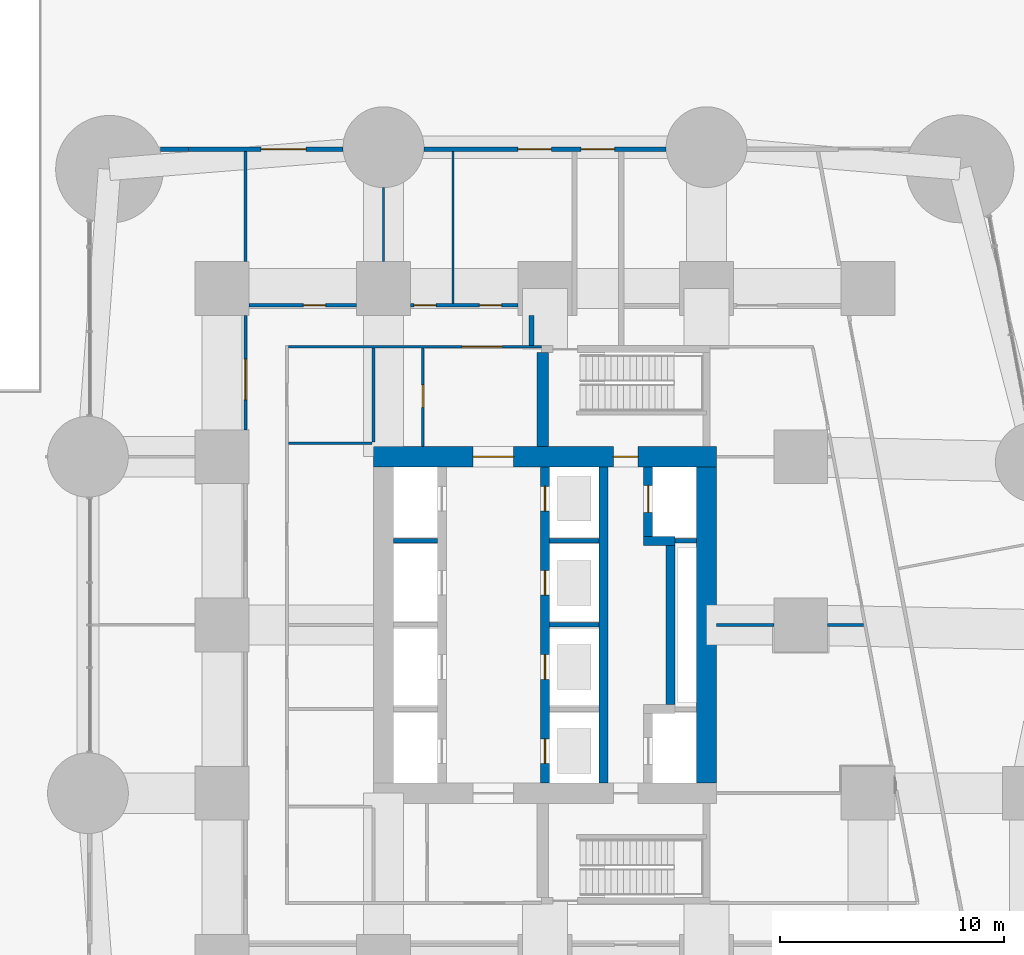
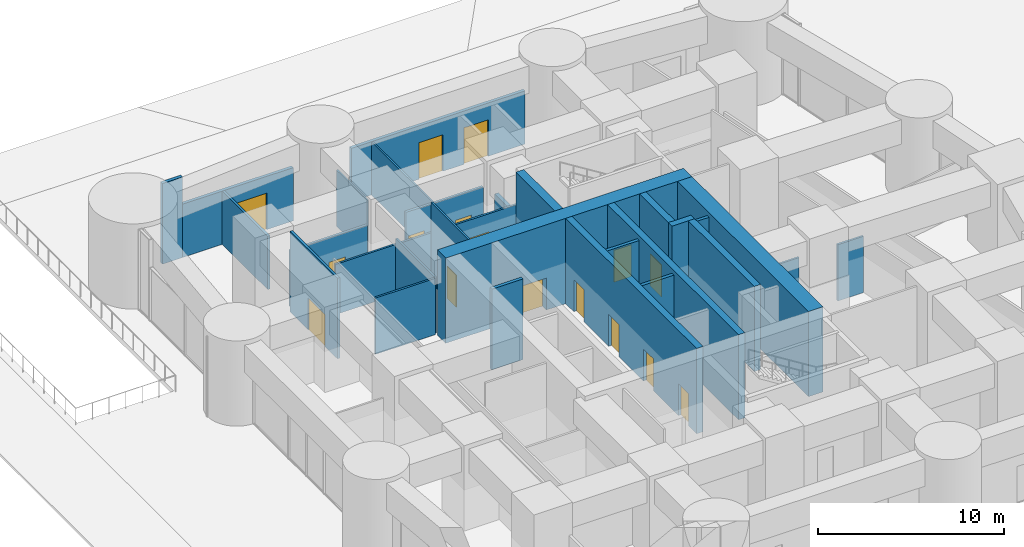
# One storey, part 11 of 16: 28 walls, 16 doors, 16 openings.
"""IFC4 building model written with IfcOpenShell, lengths in metres."""

from ifc_helpers import new_model, si_unit, direction, frame, frame_2d, origin, place, context, subcontext, project, spatial, rectangle, extrude, material, layer, layer_set, type_object, element, fill, save


model = new_model("IFC4")

# Units and contexts
model_context = context("Model", 3, precision=1e-05, world=origin(), true_north=direction((0.0, 1.0)))
body_context = subcontext(model_context, "Body", "Model", "MODEL_VIEW")
ifc_project = project(units=[si_unit("LENGTHUNIT", "METRE"), si_unit("AREAUNIT", "SQUARE_METRE"), si_unit("VOLUMEUNIT", "CUBIC_METRE"), si_unit("PLANEANGLEUNIT", "RADIAN"), si_unit("MASSUNIT", "GRAM", prefix="KILO")], contexts=[model_context])

# Site, building, storey
site_placement = place(None, origin())
site = spatial("IfcSite", under=ifc_project, at=site_placement, CompositionType="ELEMENT")
building_placement = place(site_placement, origin())
building = spatial("IfcBuilding", under=site, at=building_placement, Name="Sheger Commons Tower", CompositionType="ELEMENT")
storey_placement = place(building_placement, origin())
storey = spatial("IfcBuildingStorey", under=building, at=storey_placement, Name="L00", CompositionType="ELEMENT", Elevation=0.0)

# Wall, openings, doors
ifc_material_1 = material(Name="Concrete C50/60", Category="concrete")
ifc_layer_1 = layer(ifc_material_1, 0.39990234375)
ifc_layer_set_1 = layer_set([ifc_layer_1], Name="CORE INNER WALL 400")
wall_type_1 = type_object("IfcWallType", Name="CORE INNER WALL 400", PredefinedType="SHEAR", material=ifc_layer_set_1)
wall_1_placement = place(storey_placement, frame((21.60009765625, 15.449951171875, 0.0), z_axis=(0.0, 0.0, 1.0), x_axis=(0.0, 1.0, 0.0)))
wall_1 = element("IfcWall", 1, at=wall_1_placement, inside=storey, type_object=wall_type_1, Name="Core inner wall L L00", PredefinedType="SHEAR", context=body_context, shape_type="SweptSolid", body=[
    extrude(rectangle(XDim=14.10009765625, YDim=0.39990234375, at=frame_2d((7.050048828125, 0.0))), origin(), (0.0, 0.0, 1.0), 5.60009765625),
])
opening_1_placement = place(wall_1_placement, frame((0.875, 0.0, 0.0)))
opening_1 = element("IfcOpeningElement", 2, at=opening_1_placement, cuts=wall_1, Name="Opening LD", PredefinedType="OPENING", context=body_context, shape_type="SweptSolid", body=[
    extrude(rectangle(XDim=1.10009765625, YDim=2.10009765625, at=frame_2d((0.550048828125, 1.050048828125))), frame((0.0, 0.2099609375, 0.0), z_axis=(0.0, -1.0, 0.0), x_axis=(1.0, 0.0, 0.0)), (0.0, 0.0, 1.0), 0.419921875),
])
opening_2_placement = place(wall_1_placement, frame((4.625, 0.0, 0.0)))
opening_2 = element("IfcOpeningElement", 3, at=opening_2_placement, cuts=wall_1, Name="Opening LD", PredefinedType="OPENING", context=body_context, shape_type="SweptSolid", body=[
    extrude(rectangle(XDim=1.10009765625, YDim=2.10009765625, at=frame_2d((0.550048828125, 1.050048828125))), frame((0.0, 0.2099609375, 0.0), z_axis=(0.0, -1.0, 0.0), x_axis=(1.0, 0.0, 0.0)), (0.0, 0.0, 1.0), 0.419921875),
])
opening_3_placement = place(wall_1_placement, frame((8.375, 0.0, 0.0)))
opening_3 = element("IfcOpeningElement", 4, at=opening_3_placement, cuts=wall_1, Name="Opening LD", PredefinedType="OPENING", context=body_context, shape_type="SweptSolid", body=[
    extrude(rectangle(XDim=1.10009765625, YDim=2.10009765625, at=frame_2d((0.550048828125, 1.050048828125))), frame((0.0, 0.2099609375, 0.0), z_axis=(0.0, -1.0, 0.0), x_axis=(1.0, 0.0, 0.0)), (0.0, 0.0, 1.0), 0.419921875),
])
opening_4_placement = place(wall_1_placement, frame((12.125, 0.0, 0.0)))
opening_4 = element("IfcOpeningElement", 5, at=opening_4_placement, cuts=wall_1, Name="Opening LD", PredefinedType="OPENING", context=body_context, shape_type="SweptSolid", body=[
    extrude(rectangle(XDim=1.10009765625, YDim=2.10009765625, at=frame_2d((0.550048828125, 1.050048828125))), frame((0.0, 0.2099609375, 0.0), z_axis=(0.0, -1.0, 0.0), x_axis=(1.0, 0.0, 0.0)), (0.0, 0.0, 1.0), 0.419921875),
])
ifc_material_2 = material(Name="Steel door set, fire rated", Category="steel")
door_type_1 = type_object("IfcDoorType", Name="LIFT LANDING DOOR 1100x2100", OperationType="DOUBLE_DOOR_SLIDING", PredefinedType="DOOR", material=ifc_material_2)
door_1_placement = place(opening_1_placement, origin())
door_1 = element("IfcDoor", 6, at=door_1_placement, inside=storey, type_object=door_type_1, Name="Lift LB1 landing door", OperationType="DOUBLE_DOOR_SLIDING", OverallHeight=2.10009765625, OverallWidth=1.10009765625, PredefinedType="DOOR", context=body_context, shape_type="SweptSolid", body=[
    extrude(rectangle(XDim=1.10009765625, YDim=2.10009765625, at=frame_2d((0.550048828125, 1.050048828125))), frame((0.0, 0.02490234375, 0.0), z_axis=(0.0, -1.0, 0.0), x_axis=(1.0, 0.0, 0.0)), (0.0, 0.0, 1.0), 0.050048828125),
])
fill(opening_1, door_1)
door_2_placement = place(opening_2_placement, origin())
door_2 = element("IfcDoor", 7, at=door_2_placement, inside=storey, type_object=door_type_1, Name="Lift LB2 landing door", OperationType="DOUBLE_DOOR_SLIDING", OverallHeight=2.10009765625, OverallWidth=1.10009765625, PredefinedType="DOOR", context=body_context, shape_type="SweptSolid", body=[
    extrude(rectangle(XDim=1.10009765625, YDim=2.10009765625, at=frame_2d((0.550048828125, 1.050048828125))), frame((0.0, 0.02490234375, 0.0), z_axis=(0.0, -1.0, 0.0), x_axis=(1.0, 0.0, 0.0)), (0.0, 0.0, 1.0), 0.050048828125),
])
fill(opening_2, door_2)
door_3_placement = place(opening_3_placement, origin())
door_3 = element("IfcDoor", 8, at=door_3_placement, inside=storey, type_object=door_type_1, Name="Lift LB3 landing door", OperationType="DOUBLE_DOOR_SLIDING", OverallHeight=2.10009765625, OverallWidth=1.10009765625, PredefinedType="DOOR", context=body_context, shape_type="SweptSolid", body=[
    extrude(rectangle(XDim=1.10009765625, YDim=2.10009765625, at=frame_2d((0.550048828125, 1.050048828125))), frame((0.0, 0.02490234375, 0.0), z_axis=(0.0, -1.0, 0.0), x_axis=(1.0, 0.0, 0.0)), (0.0, 0.0, 1.0), 0.050048828125),
])
fill(opening_3, door_3)
door_4_placement = place(opening_4_placement, origin())
door_4 = element("IfcDoor", 9, at=door_4_placement, inside=storey, type_object=door_type_1, Name="Lift LB4 landing door", OperationType="DOUBLE_DOOR_SLIDING", OverallHeight=2.10009765625, OverallWidth=1.10009765625, PredefinedType="DOOR", context=body_context, shape_type="SweptSolid", body=[
    extrude(rectangle(XDim=1.10009765625, YDim=2.10009765625, at=frame_2d((0.550048828125, 1.050048828125))), frame((0.0, 0.02490234375, 0.0), z_axis=(0.0, -1.0, 0.0), x_axis=(1.0, 0.0, 0.0)), (0.0, 0.0, 1.0), 0.050048828125),
])
fill(opening_4, door_4)

# Walls
wall_2_placement = place(storey_placement, frame((24.199951171875, 15.449951171875, 0.0), z_axis=(0.0, 0.0, 1.0), x_axis=(0.0, 1.0, 0.0)))
element("IfcWall", 10, at=wall_2_placement, inside=storey, type_object=wall_type_1, Name="Core inner wall B L00", PredefinedType="SHEAR", context=body_context, shape_type="SweptSolid", body=[
    extrude(rectangle(XDim=14.10009765625, YDim=0.39990234375, at=frame_2d((7.050048828125, 0.0))), origin(), (0.0, 0.0, 1.0), 5.60009765625),
])
wall_3_placement = place(storey_placement, frame((27.199951171875, 18.949951171875, 0.0), z_axis=(0.0, 0.0, 1.0), x_axis=(0.0, 1.0, 0.0)))
element("IfcWall", 11, at=wall_3_placement, inside=storey, type_object=wall_type_1, Name="Core inner wall F middle L00", PredefinedType="SHEAR", context=body_context, shape_type="SweptSolid", body=[
    extrude(rectangle(XDim=7.10009765625, YDim=0.39990234375, at=frame_2d((3.550048828125, 0.0))), origin(), (0.0, 0.0, 1.0), 5.60009765625),
])
wall_4_placement = place(storey_placement, frame((26.0, 26.25, 0.0), z_axis=(0.0, 0.0, 1.0), x_axis=(1.0, 0.0, 0.0)))
element("IfcWall", 12, at=wall_4_placement, inside=storey, type_object=wall_type_1, Name="Core inner wall F north return L00", PredefinedType="SHEAR", context=body_context, shape_type="SweptSolid", body=[
    extrude(rectangle(XDim=1.39990234375, YDim=0.39990234375, at=frame_2d((0.699951171875, 0.0))), origin(), (0.0, 0.0, 1.0), 5.60009765625),
])

# Wall, opening, door
wall_5_placement = place(storey_placement, frame((26.199951171875, 26.449951171875, 0.0), z_axis=(0.0, 0.0, 1.0), x_axis=(0.0, 1.0, 0.0)))
wall_5 = element("IfcWall", 13, at=wall_5_placement, inside=storey, type_object=wall_type_1, Name="Core inner wall F north L00", PredefinedType="SHEAR", context=body_context, shape_type="SweptSolid", body=[
    extrude(rectangle(XDim=3.10009765625, YDim=0.39990234375, at=frame_2d((1.550048828125, 0.0))), origin(), (0.0, 0.0, 1.0), 5.60009765625),
])
opening_5_placement = place(wall_5_placement, frame((1.074951171875, 0.0, 0.0)))
opening_5 = element("IfcOpeningElement", 14, at=opening_5_placement, cuts=wall_5, Name="Opening LD2", PredefinedType="OPENING", context=body_context, shape_type="SweptSolid", body=[
    extrude(rectangle(XDim=1.199951171875, YDim=2.10009765625, at=frame_2d((0.60009765625, 1.050048828125))), frame((0.0, 0.2099609375, 0.0), z_axis=(0.0, -1.0, 0.0), x_axis=(1.0, 0.0, 0.0)), (0.0, 0.0, 1.0), 0.419921875),
])
ifc_material_3 = material(Name="Steel door set, fire rated", Category="steel")
door_type_2 = type_object("IfcDoorType", Name="FIREFIGHTING LIFT LANDING DOOR 1200x2100", OperationType="DOUBLE_DOOR_SLIDING", PredefinedType="DOOR", material=ifc_material_3)
door_5_placement = place(opening_5_placement, origin())
door_5 = element("IfcDoor", 15, at=door_5_placement, inside=storey, type_object=door_type_2, Name="Lift FL2 landing door", OperationType="DOUBLE_DOOR_SLIDING", OverallHeight=2.10009765625, OverallWidth=1.199951171875, PredefinedType="DOOR", context=body_context, shape_type="SweptSolid", body=[
    extrude(rectangle(XDim=1.199951171875, YDim=2.10009765625, at=frame_2d((0.60009765625, 1.050048828125))), frame((0.0, 0.02490234375, 0.0), z_axis=(0.0, -1.0, 0.0), x_axis=(1.0, 0.0, 0.0)), (0.0, 0.0, 1.0), 0.050048828125),
])
fill(opening_5, door_5)

# Wall, openings, doors
ifc_material_4 = material(Name="Concrete C50/60", Category="concrete")
ifc_layer_2 = layer(ifc_material_4, 0.89990234375)
ifc_layer_set_2 = layer_set([ifc_layer_2], Name="CORE WALL 900")
wall_type_2 = type_object("IfcWallType", Name="CORE WALL 900", PredefinedType="SHEAR", material=ifc_layer_set_2)
wall_6_placement = place(storey_placement, frame((13.949951171875, 30.0, 0.0), z_axis=(0.0, 0.0, 1.0), x_axis=(1.0, 0.0, 0.0)))
wall_6 = element("IfcWall", 16, at=wall_6_placement, inside=storey, type_object=wall_type_2, Name="Core wall north L00", PredefinedType="SHEAR", context=body_context, shape_type="SweptSolid", body=[
    extrude(rectangle(XDim=15.300048828125, YDim=0.89990234375, at=frame_2d((7.64990234375, 0.0))), origin(), (0.0, 0.0, 1.0), 5.60009765625),
])
opening_6_placement = place(wall_6_placement, frame((4.449951171875, 0.0, 0.0)))
opening_6 = element("IfcOpeningElement", 17, at=opening_6_placement, cuts=wall_6, Name="Opening D6", PredefinedType="OPENING", context=body_context, shape_type="SweptSolid", body=[
    extrude(rectangle(XDim=1.800048828125, YDim=2.10009765625, at=frame_2d((0.89990234375, 1.050048828125))), frame((0.0, 0.4599609375, 0.0), z_axis=(0.0, -1.0, 0.0), x_axis=(1.0, 0.0, 0.0)), (0.0, 0.0, 1.0), 0.919921875),
])
opening_7_placement = place(wall_6_placement, frame((10.699951171875, 0.0, 0.0)))
opening_7 = element("IfcOpeningElement", 18, at=opening_7_placement, cuts=wall_6, Name="Opening D5", PredefinedType="OPENING", context=body_context, shape_type="SweptSolid", body=[
    extrude(rectangle(XDim=1.10009765625, YDim=2.10009765625, at=frame_2d((0.550048828125, 1.050048828125))), frame((0.0, 0.4599609375, 0.0), z_axis=(0.0, -1.0, 0.0), x_axis=(1.0, 0.0, 0.0)), (0.0, 0.0, 1.0), 0.919921875),
])
ifc_material_5 = material(Name="Steel door set, fire rated", Category="steel")
door_type_3 = type_object("IfcDoorType", Name="LOBBY DOUBLE DOOR 1800x2100", OperationType="DOUBLE_DOOR_SINGLE_SWING", PredefinedType="DOOR", material=ifc_material_5)
door_6_placement = place(opening_6_placement, origin())
door_6 = element("IfcDoor", 19, at=door_6_placement, inside=storey, type_object=door_type_3, Name="Lift lobby door", OperationType="DOUBLE_DOOR_SINGLE_SWING", OverallHeight=2.10009765625, OverallWidth=1.800048828125, PredefinedType="DOOR", context=body_context, shape_type="SweptSolid", body=[
    extrude(rectangle(XDim=1.800048828125, YDim=2.10009765625, at=frame_2d((0.89990234375, 1.050048828125))), frame((0.0, 0.02490234375, 0.0), z_axis=(0.0, -1.0, 0.0), x_axis=(1.0, 0.0, 0.0)), (0.0, 0.0, 1.0), 0.050048828125),
])
fill(opening_6, door_6)
ifc_material_6 = material(Name="Steel door set, fire rated", Category="steel")
door_type_4 = type_object("IfcDoorType", Name="STAIR DOOR 1100x2100", OperationType="NOTDEFINED", PredefinedType="DOOR", material=ifc_material_6)
door_7_placement = place(opening_7_placement, origin())
door_7 = element("IfcDoor", 20, at=door_7_placement, inside=storey, type_object=door_type_4, Name="Fire-fighting lobby door", OperationType="SINGLE_SWING_RIGHT", OverallHeight=2.10009765625, OverallWidth=1.10009765625, PredefinedType="DOOR", context=body_context, shape_type="SweptSolid", body=[
    extrude(rectangle(XDim=1.10009765625, YDim=2.10009765625, at=frame_2d((0.550048828125, 1.050048828125))), frame((0.0, 0.02490234375, 0.0), z_axis=(0.0, -1.0, 0.0), x_axis=(1.0, 0.0, 0.0)), (0.0, 0.0, 1.0), 0.050048828125),
])
fill(opening_7, door_7)

# Wall
wall_7_placement = place(storey_placement, frame((28.800048828125, 15.449951171875, 0.0), z_axis=(0.0, 0.0, 1.0), x_axis=(0.0, 1.0, 0.0)))
element("IfcWall", 21, at=wall_7_placement, inside=storey, type_object=wall_type_2, Name="Core wall east L00", PredefinedType="SHEAR", context=body_context, shape_type="SweptSolid", body=[
    extrude(rectangle(XDim=14.10009765625, YDim=0.89990234375, at=frame_2d((7.050048828125, 0.0))), origin(), (0.0, 0.0, 1.0), 5.60009765625),
])

# Wall, opening, door
ifc_material_7 = material(Name="Hollow concrete block masonry, skimmed both sides", Category="masonry")
ifc_layer_3 = layer(ifc_material_7, 0.14990234375)
ifc_layer_set_3 = layer_set([ifc_layer_3], Name="CORRIDOR WALL 150")
wall_type_3 = type_object("IfcWallType", Name="CORRIDOR WALL 150", PredefinedType="SOLIDWALL", material=ifc_layer_set_3)
wall_8_placement = place(storey_placement, frame((8.25, 31.200927734375, 0.0), z_axis=(0.0, 0.0, 1.0), x_axis=(0.0, 1.0, 0.0)))
wall_8 = element("IfcWall", 22, at=wall_8_placement, inside=storey, type_object=wall_type_3, Name="Corridor wall L00", PredefinedType="SOLIDWALL", context=body_context, shape_type="SweptSolid", body=[
    extrude(rectangle(XDim=5.09814453125, YDim=0.14990234375, at=frame_2d((2.549072265625, 0.0))), origin(), (0.0, 0.0, 1.0), 5.300048828125),
])
opening_8_placement = place(wall_8_placement, frame((1.343994140625, 0.0, 0.0)))
opening_8 = element("IfcOpeningElement", 23, at=opening_8_placement, cuts=wall_8, Name="Opening D6", PredefinedType="OPENING", context=body_context, shape_type="SweptSolid", body=[
    extrude(rectangle(XDim=1.800048828125, YDim=2.10009765625, at=frame_2d((0.89990234375, 1.050048828125))), frame((0.0, 0.0849609375, 0.0), z_axis=(0.0, -1.0, 0.0), x_axis=(1.0, 0.0, 0.0)), (0.0, 0.0, 1.0), 0.169921875),
])
door_8_placement = place(opening_8_placement, origin())
door_8 = element("IfcDoor", 24, at=door_8_placement, inside=storey, type_object=door_type_3, Name="Shop door", OperationType="DOUBLE_DOOR_SINGLE_SWING", OverallHeight=2.10009765625, OverallWidth=1.800048828125, PredefinedType="DOOR", context=body_context, shape_type="SweptSolid", body=[
    extrude(rectangle(XDim=1.800048828125, YDim=2.10009765625, at=frame_2d((0.89990234375, 1.050048828125))), frame((0.0, 0.02490234375, 0.0), z_axis=(0.0, -1.0, 0.0), x_axis=(1.0, 0.0, 0.0)), (0.0, 0.0, 1.0), 0.050048828125),
])
fill(opening_8, door_8)

# Wall
wall_9_placement = place(storey_placement, frame((8.25, 38.700927734375, 0.0), z_axis=(0.0, 0.0, 1.0), x_axis=(0.0, 1.0, 0.0)))
element("IfcWall", 25, at=wall_9_placement, inside=storey, type_object=wall_type_3, Name="Corridor wall L00", PredefinedType="SOLIDWALL", context=body_context, shape_type="SweptSolid", body=[
    extrude(rectangle(XDim=4.899169921875, YDim=0.14990234375, at=frame_2d((2.44970703125, 0.0))), origin(), (0.0, 0.0, 1.0), 3.5),
])

# Wall, opening, door
wall_10_placement = place(storey_placement, frame((8.40087890625, 36.75, 0.0), z_axis=(0.0, 0.0, 1.0), x_axis=(1.0, 0.0, 0.0)))
wall_10 = element("IfcWall", 26, at=wall_10_placement, inside=storey, type_object=wall_type_3, Name="Corridor wall L00", PredefinedType="SOLIDWALL", context=body_context, shape_type="SweptSolid", body=[
    extrude(rectangle(XDim=4.798095703125, YDim=0.14990234375, at=frame_2d((2.39892578125, 0.0))), origin(), (0.0, 0.0, 1.0), 3.699951171875),
])
opening_9_placement = place(wall_10_placement, frame((2.424072265625, 0.0, 0.0)))
opening_9 = element("IfcOpeningElement", 27, at=opening_9_placement, cuts=wall_10, Name="Opening D4", PredefinedType="OPENING", context=body_context, shape_type="SweptSolid", body=[
    extrude(rectangle(XDim=1.0, YDim=2.10009765625, at=frame_2d((0.5, 1.050048828125))), frame((0.0, 0.0849609375, 0.0), z_axis=(0.0, -1.0, 0.0), x_axis=(1.0, 0.0, 0.0)), (0.0, 0.0, 1.0), 0.169921875),
])
ifc_material_8 = material(Name="Steel door set, fire rated", Category="steel")
door_type_5 = type_object("IfcDoorType", Name="SERVICE DOOR 1000x2100", OperationType="NOTDEFINED", PredefinedType="DOOR", material=ifc_material_8)
door_9_placement = place(opening_9_placement, origin())
door_9 = element("IfcDoor", 28, at=door_9_placement, inside=storey, type_object=door_type_5, Name="Fire command centre door", OperationType="SINGLE_SWING_RIGHT", OverallHeight=2.10009765625, OverallWidth=1.0, PredefinedType="DOOR", context=body_context, shape_type="SweptSolid", body=[
    extrude(rectangle(XDim=1.0, YDim=2.10009765625, at=frame_2d((0.5, 1.050048828125))), frame((0.0, 0.02490234375, 0.0), z_axis=(0.0, -1.0, 0.0), x_axis=(1.0, 0.0, 0.0)), (0.0, 0.0, 1.0), 0.050048828125),
])
fill(opening_9, door_9)

# Wall, openings, doors
wall_11_placement = place(storey_placement, frame((15.60107421875, 36.75, 0.0), z_axis=(0.0, 0.0, 1.0), x_axis=(1.0, 0.0, 0.0)))
wall_11 = element("IfcWall", 29, at=wall_11_placement, inside=storey, type_object=wall_type_3, Name="Corridor wall L00", PredefinedType="SOLIDWALL", context=body_context, shape_type="SweptSolid", body=[
    extrude(rectangle(XDim=4.7978515625, YDim=0.14990234375, at=frame_2d((2.39892578125, 0.0))), origin(), (0.0, 0.0, 1.0), 3.699951171875),
])
opening_10_placement = place(wall_11_placement, frame((0.14990234375, 0.0, 0.0)))
opening_10 = element("IfcOpeningElement", 30, at=opening_10_placement, cuts=wall_11, Name="Opening D4", PredefinedType="OPENING", context=body_context, shape_type="SweptSolid", body=[
    extrude(rectangle(XDim=1.0, YDim=2.10009765625, at=frame_2d((0.5, 1.050048828125))), frame((0.0, 0.0849609375, 0.0), z_axis=(0.0, -1.0, 0.0), x_axis=(1.0, 0.0, 0.0)), (0.0, 0.0, 1.0), 0.169921875),
])
opening_11_placement = place(wall_11_placement, frame((3.069091796875, 0.0, 0.0)))
opening_11 = element("IfcOpeningElement", 31, at=opening_11_placement, cuts=wall_11, Name="Opening D4", PredefinedType="OPENING", context=body_context, shape_type="SweptSolid", body=[
    extrude(rectangle(XDim=1.0, YDim=2.10009765625, at=frame_2d((0.5, 1.050048828125))), frame((0.0, 0.0849609375, 0.0), z_axis=(0.0, -1.0, 0.0), x_axis=(1.0, 0.0, 0.0)), (0.0, 0.0, 1.0), 0.169921875),
])
door_10_placement = place(opening_10_placement, origin())
door_10 = element("IfcDoor", 32, at=door_10_placement, inside=storey, type_object=door_type_5, Name="Bicycle store door", OperationType="SINGLE_SWING_LEFT", OverallHeight=2.10009765625, OverallWidth=1.0, PredefinedType="DOOR", context=body_context, shape_type="SweptSolid", body=[
    extrude(rectangle(XDim=1.0, YDim=2.10009765625, at=frame_2d((0.5, 1.050048828125))), frame((0.0, 0.02490234375, 0.0), z_axis=(0.0, -1.0, 0.0), x_axis=(1.0, 0.0, 0.0)), (0.0, 0.0, 1.0), 0.050048828125),
])
fill(opening_10, door_10)
door_11_placement = place(opening_11_placement, origin())
door_11 = element("IfcDoor", 33, at=door_11_placement, inside=storey, type_object=door_type_5, Name="Refuse store door", OperationType="SINGLE_SWING_RIGHT", OverallHeight=2.10009765625, OverallWidth=1.0, PredefinedType="DOOR", context=body_context, shape_type="SweptSolid", body=[
    extrude(rectangle(XDim=1.0, YDim=2.10009765625, at=frame_2d((0.5, 1.050048828125))), frame((0.0, 0.02490234375, 0.0), z_axis=(0.0, -1.0, 0.0), x_axis=(1.0, 0.0, 0.0)), (0.0, 0.0, 1.0), 0.050048828125),
])
fill(opening_11, door_11)

ifc_material_9 = material(Name="Rendered concrete block masonry, dark grey", Category="masonry")
ifc_layer_4 = layer(ifc_material_9, 0.199951171875)
ifc_layer_set_4 = layer_set([ifc_layer_4], Name="FACADE WALL 200")
wall_type_4 = type_object("IfcWallType", Name="FACADE WALL 200", PredefinedType="SOLIDWALL", material=ifc_layer_set_4)
wall_12_placement = place(storey_placement, frame((26.9990234375, 43.699951171875, 0.0), z_axis=(0.0, 0.0, 1.0), x_axis=(-1.0, 0.0, 0.0)))
wall_12 = element("IfcWall", 34, at=wall_12_placement, inside=storey, type_object=wall_type_4, Name="Facade wall L00", PredefinedType="SOLIDWALL", context=body_context, shape_type="SweptSolid", body=[
    extrude(rectangle(XDim=10.798095703125, YDim=0.199951171875, at=frame_2d((5.39892578125, 0.0))), origin(), (0.0, 0.0, 1.0), 3.5),
])
opening_12_placement = place(wall_12_placement, frame((5.110107421875, 0.0, 0.0)))
opening_12 = element("IfcOpeningElement", 35, at=opening_12_placement, cuts=wall_12, Name="Opening DE2", PredefinedType="OPENING", context=body_context, shape_type="SweptSolid", body=[
    extrude(rectangle(XDim=1.5, YDim=2.39990234375, at=frame_2d((0.75, 1.199951171875))), frame((0.0, 0.10986328125, 0.0), z_axis=(0.0, -1.0, 0.0), x_axis=(1.0, 0.0, 0.0)), (0.0, 0.0, 1.0), 0.219970703125),
])
opening_13_placement = place(wall_12_placement, frame((2.291015625, 0.0, 0.0)))
opening_13 = element("IfcOpeningElement", 36, at=opening_13_placement, cuts=wall_12, Name="Opening DE3", PredefinedType="OPENING", context=body_context, shape_type="SweptSolid", body=[
    extrude(rectangle(XDim=1.5, YDim=2.39990234375, at=frame_2d((0.75, 1.199951171875))), frame((0.0, 0.10986328125, 0.0), z_axis=(0.0, -1.0, 0.0), x_axis=(1.0, 0.0, 0.0)), (0.0, 0.0, 1.0), 0.219970703125),
])
ifc_material_10 = material(Name="Black aluminium frame, dark tinted glazing", Category="aluminium")
door_type_6 = type_object("IfcDoorType", Name="EXIT DOUBLE DOOR 1500x2400", OperationType="DOUBLE_DOOR_SINGLE_SWING", PredefinedType="DOOR", material=ifc_material_10)
door_12_placement = place(opening_13_placement, frame((1.5, 0.0, 0.0), z_axis=(0.0, 0.0, 1.0), x_axis=(-1.0, 0.0, 0.0)))
door_12 = element("IfcDoor", 37, at=door_12_placement, inside=storey, type_object=door_type_6, Name="Final exit door", OperationType="DOUBLE_DOOR_SINGLE_SWING", OverallHeight=2.39990234375, OverallWidth=1.5, PredefinedType="DOOR", context=body_context, shape_type="SweptSolid", body=[
    extrude(rectangle(XDim=1.5, YDim=2.39990234375, at=frame_2d((0.75, 1.199951171875))), frame((0.0, 0.02490234375, 0.0), z_axis=(0.0, -1.0, 0.0), x_axis=(1.0, 0.0, 0.0)), (0.0, 0.0, 1.0), 0.050048828125),
])
fill(opening_13, door_12)
ifc_material_11 = material(Name="Black painted steel double door, solid leaves", Category="steel")
door_type_7 = type_object("IfcDoorType", Name="SERVICE ENTRANCE DOUBLE DOOR 1500x2400", OperationType="DOUBLE_DOOR_SINGLE_SWING", PredefinedType="DOOR", material=ifc_material_11)
door_13_placement = place(opening_12_placement, origin())
door_13 = element("IfcDoor", 38, at=door_13_placement, inside=storey, type_object=door_type_7, Name="Refuse store service door", OperationType="DOUBLE_DOOR_SINGLE_SWING", OverallHeight=2.39990234375, OverallWidth=1.5, PredefinedType="DOOR", context=body_context, shape_type="SweptSolid", body=[
    extrude(rectangle(XDim=1.5, YDim=2.39990234375, at=frame_2d((0.75, 1.199951171875))), frame((0.0, 0.02490234375, 0.0), z_axis=(0.0, -1.0, 0.0), x_axis=(1.0, 0.0, 0.0)), (0.0, 0.0, 1.0), 0.050048828125),
])
fill(opening_12, door_13)

# Wall, opening, door
wall_13_placement = place(storey_placement, frame((12.59912109375, 43.699951171875, 0.0), z_axis=(0.0, 0.0, 1.0), x_axis=(-1.0, 0.0, 0.0)))
wall_13 = element("IfcWall", 39, at=wall_13_placement, inside=storey, type_object=wall_type_4, Name="Facade wall L00", PredefinedType="SOLIDWALL", context=body_context, shape_type="SweptSolid", body=[
    extrude(rectangle(XDim=6.89013671875, YDim=0.199951171875, at=frame_2d((3.445068359375, 0.0))), origin(), (0.0, 0.0, 1.0), 3.5),
])
opening_14_placement = place(wall_13_placement, frame((1.64892578125, 0.0, 0.0)))
opening_14 = element("IfcOpeningElement", 40, at=opening_14_placement, cuts=wall_13, Name="Opening DE1", PredefinedType="OPENING", context=body_context, shape_type="SweptSolid", body=[
    extrude(rectangle(XDim=2.0, YDim=2.39990234375, at=frame_2d((1.0, 1.199951171875))), frame((0.0, 0.10986328125, 0.0), z_axis=(0.0, -1.0, 0.0), x_axis=(1.0, 0.0, 0.0)), (0.0, 0.0, 1.0), 0.219970703125),
])
ifc_material_12 = material(Name="Black aluminium frame, dark tinted glazing", Category="aluminium")
door_type_8 = type_object("IfcDoorType", Name="ENTRANCE DOUBLE DOOR 2000x2400", OperationType="DOUBLE_DOOR_SINGLE_SWING", PredefinedType="DOOR", material=ifc_material_12)
door_14_placement = place(opening_14_placement, origin())
door_14 = element("IfcDoor", 41, at=door_14_placement, inside=storey, type_object=door_type_8, Name="Entrance door", OperationType="DOUBLE_DOOR_SINGLE_SWING", OverallHeight=2.39990234375, OverallWidth=2.0, PredefinedType="DOOR", context=body_context, shape_type="SweptSolid", body=[
    extrude(rectangle(XDim=2.0, YDim=2.39990234375, at=frame_2d((1.0, 1.199951171875))), frame((0.0, 0.02490234375, 0.0), z_axis=(0.0, -1.0, 0.0), x_axis=(1.0, 0.0, 0.0)), (0.0, 0.0, 1.0), 0.050048828125),
])
fill(opening_14, door_14)

# Walls
wall_14_placement = place(storey_placement, frame((5.708984375, 43.699951171875, 0.0), z_axis=(0.0, 0.0, 1.0), x_axis=(-1.0, 0.0, 0.0)))
element("IfcWall", 42, at=wall_14_placement, inside=storey, type_object=wall_type_4, Name="Facade wall L00", PredefinedType="SOLIDWALL", context=body_context, shape_type="SweptSolid", body=[
    extrude(rectangle(XDim=1.2470703125, YDim=0.199951171875, at=frame_2d((0.62353515625, 0.0))), origin(), (0.0, 0.0, 1.0), 5.300048828125),
])
ifc_material_13 = material(Name="Dense concrete block masonry, skimmed both sides", Category="masonry")
ifc_layer_5 = layer(ifc_material_13, 0.22509765625)
ifc_layer_set_5 = layer_set([ifc_layer_5], Name="FIRE WALL 225")
wall_type_5 = type_object("IfcWallType", Name="FIRE WALL 225", PredefinedType="SOLIDWALL", material=ifc_layer_set_5)
wall_15_placement = place(storey_placement, frame((21.0, 34.962890625, 0.0), z_axis=(0.0, 0.0, 1.0), x_axis=(0.0, 1.0, 0.0)))
element("IfcWall", 43, at=wall_15_placement, inside=storey, type_object=wall_type_5, Name="Plant room wall L00", PredefinedType="SOLIDWALL", context=body_context, shape_type="SweptSolid", body=[
    extrude(rectangle(XDim=1.337158203125, YDim=0.22509765625, at=frame_2d((0.66845703125, 0.0))), origin(), (0.0, 0.0, 1.0), 3.300048828125),
])
ifc_material_14 = material(Name="Gypsum board on steel studs", Category="steel")
ifc_layer_6 = layer(ifc_material_14, 0.10009765625)
ifc_layer_set_6 = layer_set([ifc_layer_6], Name="PARTITION 100")
wall_type_6 = type_object("IfcWallType", Name="PARTITION 100", PredefinedType="PARTITIONING", material=ifc_layer_set_6)
wall_16_placement = place(storey_placement, frame((14.39990234375, 38.700927734375, 0.0), z_axis=(0.0, 0.0, 1.0), x_axis=(0.0, 1.0, 0.0)))
element("IfcWall", 44, at=wall_16_placement, inside=storey, type_object=wall_type_6, Name="Partition L00", PredefinedType="PARTITIONING", context=body_context, shape_type="SweptSolid", body=[
    extrude(rectangle(XDim=3.298095703125, YDim=0.10009765625, at=frame_2d((1.64892578125, 0.0))), origin(), (0.0, 0.0, 1.0), 3.699951171875),
])
wall_17_placement = place(storey_placement, frame((17.5, 36.824951171875, 0.0), z_axis=(0.0, 0.0, 1.0), x_axis=(0.0, 1.0, 0.0)))
element("IfcWall", 45, at=wall_17_placement, inside=storey, type_object=wall_type_6, Name="Partition L00", PredefinedType="PARTITIONING", context=body_context, shape_type="SweptSolid", body=[
    extrude(rectangle(XDim=6.775146484375, YDim=0.10009765625, at=frame_2d((3.3876953125, 0.0))), origin(), (0.0, 0.0, 1.0), 3.5),
])
ifc_material_15 = material(Name="Gypsum board on steel studs, two layers each side, fire rated", Category="steel")
ifc_layer_7 = layer(ifc_material_15, 0.125)
ifc_layer_set_7 = layer_set([ifc_layer_7], Name="SERVICE WALL 125")
wall_type_7 = type_object("IfcWallType", Name="SERVICE WALL 125", PredefinedType="PARTITIONING", material=ifc_layer_set_7)
wall_18_placement = place(storey_placement, frame((10.1630859375, 30.60009765625, 0.0), z_axis=(0.0, 0.0, 1.0), x_axis=(1.0, 0.0, 0.0)))
element("IfcWall", 46, at=wall_18_placement, inside=storey, type_object=wall_type_7, Name="Service room wall L00", PredefinedType="PARTITIONING", context=body_context, shape_type="SweptSolid", body=[
    extrude(rectangle(XDim=3.724853515625, YDim=0.125, at=frame_2d((1.8623046875, 0.0))), origin(), (0.0, 0.0, 1.0), 3.699951171875),
])
wall_19_placement = place(storey_placement, frame((13.949951171875, 30.6630859375, 0.0), z_axis=(0.0, 0.0, 1.0), x_axis=(0.0, 1.0, 0.0)))
element("IfcWall", 47, at=wall_19_placement, inside=storey, type_object=wall_type_7, Name="Service room wall L00", PredefinedType="PARTITIONING", context=body_context, shape_type="SweptSolid", body=[
    extrude(rectangle(XDim=4.173828125, YDim=0.125, at=frame_2d((2.0869140625, 0.0))), origin(), (0.0, 0.0, 1.0), 3.699951171875),
])

# Wall, opening, door
wall_20_placement = place(storey_placement, frame((10.1630859375, 34.89990234375, 0.0), z_axis=(0.0, 0.0, 1.0), x_axis=(1.0, 0.0, 0.0)))
wall_20 = element("IfcWall", 48, at=wall_20_placement, inside=storey, type_object=wall_type_7, Name="Service room wall L00", PredefinedType="PARTITIONING", context=body_context, shape_type="SweptSolid", body=[
    extrude(rectangle(XDim=11.286865234375, YDim=0.125, at=frame_2d((5.6435546875, 0.0))), origin(), (0.0, 0.0, 1.0), 3.300048828125),
])
opening_15_placement = place(wall_20_placement, frame((7.737060546875, 0.0, 0.0)))
opening_15 = element("IfcOpeningElement", 49, at=opening_15_placement, cuts=wall_20, Name="Opening D6", PredefinedType="OPENING", context=body_context, shape_type="SweptSolid", body=[
    extrude(rectangle(XDim=1.800048828125, YDim=2.10009765625, at=frame_2d((0.89990234375, 1.050048828125))), frame((0.0, 0.072509765625, 0.0), z_axis=(0.0, -1.0, 0.0), x_axis=(1.0, 0.0, 0.0)), (0.0, 0.0, 1.0), 0.14501953125),
])
door_15_placement = place(opening_15_placement, origin())
door_15 = element("IfcDoor", 50, at=door_15_placement, inside=storey, type_object=door_type_3, Name="Lift lobby north door", OperationType="DOUBLE_DOOR_SINGLE_SWING", OverallHeight=2.10009765625, OverallWidth=1.800048828125, PredefinedType="DOOR", context=body_context, shape_type="SweptSolid", body=[
    extrude(rectangle(XDim=1.800048828125, YDim=2.10009765625, at=frame_2d((0.89990234375, 1.050048828125))), frame((0.0, 0.02490234375, 0.0), z_axis=(0.0, -1.0, 0.0), x_axis=(1.0, 0.0, 0.0)), (0.0, 0.0, 1.0), 0.050048828125),
])
fill(opening_15, door_15)

wall_21_placement = place(storey_placement, frame((16.14990234375, 30.449951171875, 0.0), z_axis=(0.0, 0.0, 1.0), x_axis=(0.0, 1.0, 0.0)))
wall_21 = element("IfcWall", 51, at=wall_21_placement, inside=storey, type_object=wall_type_7, Name="Service room wall L00", PredefinedType="PARTITIONING", context=body_context, shape_type="SweptSolid", body=[
    extrude(rectangle(XDim=4.386962890625, YDim=0.125, at=frame_2d((2.193359375, 0.0))), origin(), (0.0, 0.0, 1.0), 5.300048828125),
])
opening_16_placement = place(wall_21_placement, frame((1.75, 0.0, 0.0)))
opening_16 = element("IfcOpeningElement", 52, at=opening_16_placement, cuts=wall_21, Name="Opening D4", PredefinedType="OPENING", context=body_context, shape_type="SweptSolid", body=[
    extrude(rectangle(XDim=1.0, YDim=2.10009765625, at=frame_2d((0.5, 1.050048828125))), frame((0.0, 0.072509765625, 0.0), z_axis=(0.0, -1.0, 0.0), x_axis=(1.0, 0.0, 0.0)), (0.0, 0.0, 1.0), 0.14501953125),
])
door_16_placement = place(opening_16_placement, origin())
door_16 = element("IfcDoor", 53, at=door_16_placement, inside=storey, type_object=door_type_5, Name="Telecom room door", OperationType="SINGLE_SWING_RIGHT", OverallHeight=2.10009765625, OverallWidth=1.0, PredefinedType="DOOR", context=body_context, shape_type="SweptSolid", body=[
    extrude(rectangle(XDim=1.0, YDim=2.10009765625, at=frame_2d((0.5, 1.050048828125))), frame((0.0, 0.02490234375, 0.0), z_axis=(0.0, -1.0, 0.0), x_axis=(1.0, 0.0, 0.0)), (0.0, 0.0, 1.0), 0.050048828125),
])
fill(opening_16, door_16)

# Walls
wall_22_placement = place(storey_placement, frame((29.25, 22.5, 0.0), z_axis=(0.0, 0.0, 1.0), x_axis=(1.0, 0.0, 0.0)))
element("IfcWall", 54, at=wall_22_placement, inside=storey, type_object=wall_type_7, Name="Service room wall L00", PredefinedType="PARTITIONING", context=body_context, shape_type="SweptSolid", body=[
    extrude(rectangle(XDim=2.549072265625, YDim=0.125, at=frame_2d((1.2744140625, 0.0))), origin(), (0.0, 0.0, 1.0), 3.699951171875),
])
wall_23_placement = place(storey_placement, frame((34.200927734375, 22.5, 0.0), z_axis=(0.0, 0.0, 1.0), x_axis=(1.0, 0.0, 0.0)))
element("IfcWall", 55, at=wall_23_placement, inside=storey, type_object=wall_type_7, Name="Service room wall L00", PredefinedType="PARTITIONING", context=body_context, shape_type="SweptSolid", body=[
    extrude(rectangle(XDim=1.594970703125, YDim=0.125, at=frame_2d((0.79736328125, 0.0))), origin(), (0.0, 0.0, 1.0), 3.699951171875),
])
ifc_material_16 = material(Name="Hollow concrete block masonry", Category="masonry")
ifc_layer_8 = layer(ifc_material_16, 0.199951171875)
ifc_layer_set_8 = layer_set([ifc_layer_8], Name="SHAFT WALL 200")
wall_type_8 = type_object("IfcWallType", Name="SHAFT WALL 200", PredefinedType="SOLIDWALL", material=ifc_layer_set_8)
wall_24_placement = place(storey_placement, frame((21.800048828125, 22.5, 0.0), z_axis=(0.0, 0.0, 1.0), x_axis=(1.0, 0.0, 0.0)))
element("IfcWall", 56, at=wall_24_placement, inside=storey, type_object=wall_type_8, Name="Lift shaft wall L00", PredefinedType="SOLIDWALL", context=body_context, shape_type="SweptSolid", body=[
    extrude(rectangle(XDim=2.199951171875, YDim=0.199951171875, at=frame_2d((1.10009765625, 0.0))), origin(), (0.0, 0.0, 1.0), 5.300048828125),
])
wall_25_placement = place(storey_placement, frame((14.85009765625, 26.25, 0.0), z_axis=(0.0, 0.0, 1.0), x_axis=(1.0, 0.0, 0.0)))
element("IfcWall", 57, at=wall_25_placement, inside=storey, type_object=wall_type_8, Name="Lift shaft wall L00", PredefinedType="SOLIDWALL", context=body_context, shape_type="SweptSolid", body=[
    extrude(rectangle(XDim=1.949951171875, YDim=0.199951171875, at=frame_2d((0.97509765625, 0.0))), origin(), (0.0, 0.0, 1.0), 5.300048828125),
])
wall_26_placement = place(storey_placement, frame((21.800048828125, 26.25, 0.0), z_axis=(0.0, 0.0, 1.0), x_axis=(1.0, 0.0, 0.0)))
element("IfcWall", 58, at=wall_26_placement, inside=storey, type_object=wall_type_8, Name="Lift shaft wall L00", PredefinedType="SOLIDWALL", context=body_context, shape_type="SweptSolid", body=[
    extrude(rectangle(XDim=2.199951171875, YDim=0.199951171875, at=frame_2d((1.10009765625, 0.0))), origin(), (0.0, 0.0, 1.0), 5.300048828125),
])
wall_27_placement = place(storey_placement, frame((27.39990234375, 26.25, 0.0), z_axis=(0.0, 0.0, 1.0), x_axis=(1.0, 0.0, 0.0)))
element("IfcWall", 59, at=wall_27_placement, inside=storey, type_object=wall_type_8, Name="Lift shaft wall L00", PredefinedType="SOLIDWALL", context=body_context, shape_type="SweptSolid", body=[
    extrude(rectangle(XDim=0.9501953125, YDim=0.199951171875, at=frame_2d((0.47509765625, 0.0))), origin(), (0.0, 0.0, 1.0), 5.300048828125),
])
ifc_material_17 = material(Name="Concrete C50/60", Category="concrete")
ifc_layer_9 = layer(ifc_material_17, 0.5)
ifc_layer_set_9 = layer_set([ifc_layer_9], Name="STAIR CORE WALL 500")
wall_type_9 = type_object("IfcWallType", Name="STAIR CORE WALL 500", PredefinedType="SHEAR", material=ifc_layer_set_9)
wall_28_placement = place(storey_placement, frame((21.5, 30.449951171875, 0.0), z_axis=(0.0, 0.0, 1.0), x_axis=(0.0, 1.0, 0.0)))
element("IfcWall", 60, at=wall_28_placement, inside=storey, type_object=wall_type_9, Name="STW-L00-S2W", PredefinedType="SHEAR", context=body_context, shape_type="SweptSolid", body=[
    extrude(rectangle(XDim=4.199951171875, YDim=0.5, at=frame_2d((2.10009765625, 0.0))), origin(), (0.0, 0.0, 1.0), 5.60009765625),
])

save(model, "model.ifc")
